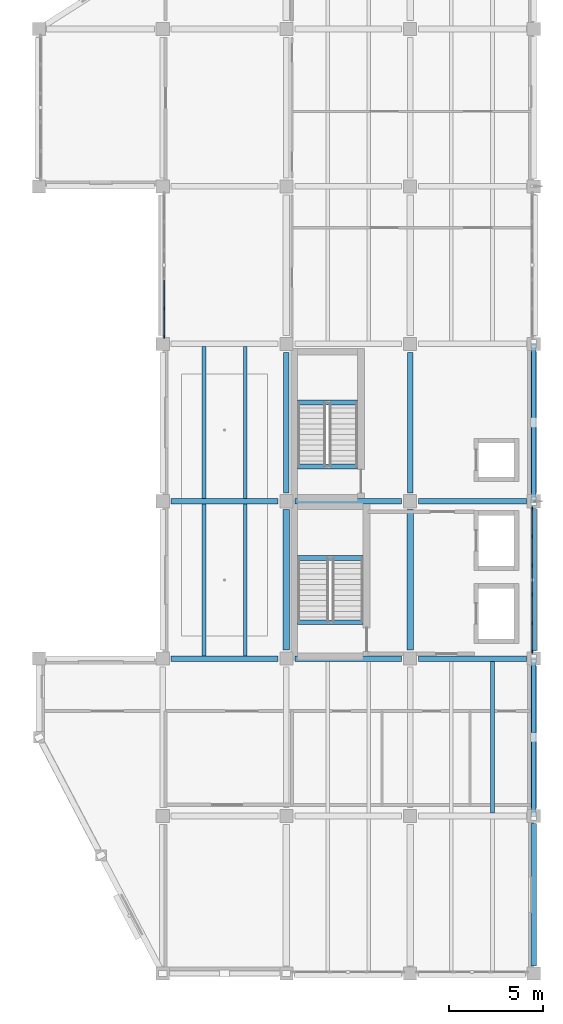
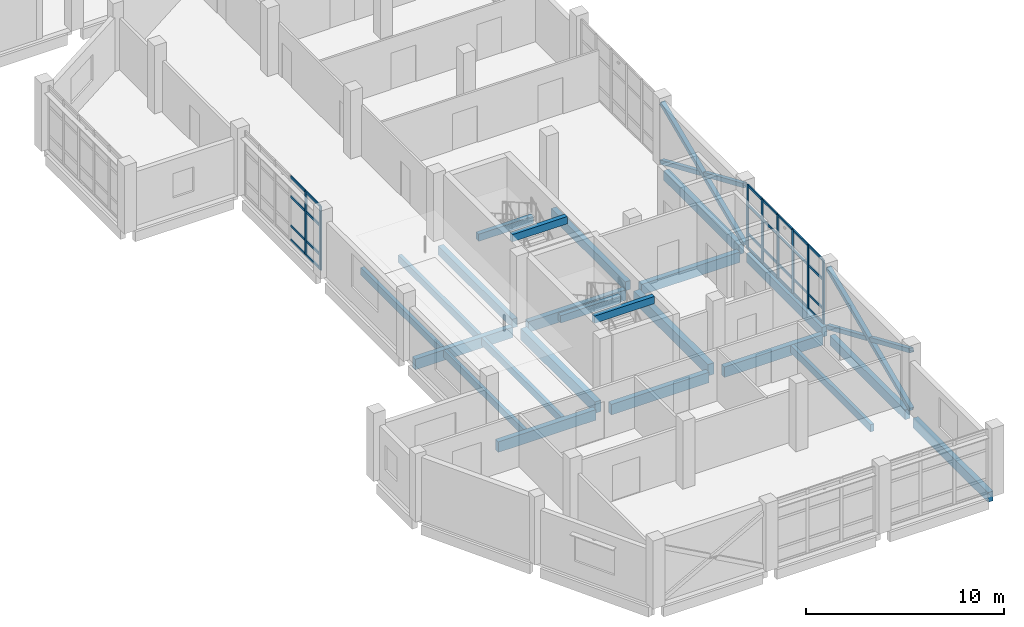
# One storey, part 20 of 74: 42 members, 23 beams, 2 elements without a shape of their own.
"""IFC4 building model written with IfcOpenShell, lengths in metres."""

from ifc_helpers import new_model, si_unit, direction, frame, origin, origin_2d, place, context, subcontext, project, spatial, rectangle, hollow_rectangle, extrude, material, material_profile, profile_set, type_object, element, aggregate, save


model = new_model("IFC4")

# Units and contexts
model_context = context("Model", 3, precision=1e-05, world=origin(), true_north=direction((0.0, 1.0)))
body_context = subcontext(model_context, "Body", "Model", "MODEL_VIEW")
ifc_project = project(units=[si_unit("LENGTHUNIT", "METRE"), si_unit("AREAUNIT", "SQUARE_METRE"), si_unit("VOLUMEUNIT", "CUBIC_METRE"), si_unit("PLANEANGLEUNIT", "RADIAN"), si_unit("MASSUNIT", "GRAM", prefix="KILO")], contexts=[model_context])

# Site, building, storey
site_placement = place(None, origin())
site = spatial("IfcSite", under=ifc_project, at=site_placement, CompositionType="ELEMENT")
building_placement = place(site_placement, origin())
building = spatial("IfcBuilding", under=site, at=building_placement, Name="Qaldarim Faculty of Natural and Applied Sciences", CompositionType="ELEMENT")
storey_placement = place(building_placement, frame((0.0, 0.0, 14.39990234375)))
storey = spatial("IfcBuildingStorey", under=building, at=storey_placement, Name="L03", CompositionType="ELEMENT", Elevation=14.39990234375)

# Beams
ifc_material_1 = material(Name="Concrete C40/50", Category="concrete")
ifc_material_profile_1 = material_profile(ifc_material_1, rectangle(XDim=0.300048828125, YDim=0.550048828125, at=origin_2d()), Name="RC-B300x550")
ifc_profile_set_1 = profile_set([ifc_material_profile_1], Name="Concrete C40/50")
beam_type_1 = type_object("IfcBeamType", Name="FloorBeam-RC300x550", PredefinedType="BEAM", material=ifc_profile_set_1)
for number, where, z_axis, x_axis, name in (
    (1, (165.0, 25.64990234375, -0.534912109375), (0.0, 1.0, 0.0), (-1.0, 0.0, 0.0), "Beam RC-B300x550 L02 X26/Y04-Y05"),
    (2, (171.60009765625, 25.64990234375, -0.534912109375), (0.0, 1.0, 0.0), (-1.0, 0.0, 0.0), "Beam RC-B300x550 L02 X27/Y04-Y05"),
):
    element("IfcBeam", number, at=place(storey_placement, frame(where, z_axis=z_axis, x_axis=x_axis)), inside=storey, type_object=beam_type_1, Name=name, PredefinedType="BEAM", context=body_context, shape_type="SweptSolid", body=[
        extrude(rectangle(XDim=0.300048828125, YDim=0.550048828125, at=origin_2d()), origin(), (0.0, 0.0, 1.0), 7.5),
    ])
ifc_material_profile_2 = material_profile(ifc_material_1, rectangle(XDim=0.199951171875, YDim=0.449951171875, at=origin_2d()), Name="RC-J200x450")
ifc_profile_set_2 = profile_set([ifc_material_profile_2], Name="Concrete C40/50")
beam_type_2 = type_object("IfcBeamType", Name="LabJoist-RC200x450", PredefinedType="JOIST", material=ifc_profile_set_2)
for number, where, z_axis, x_axis, name in (
    (3, (160.60009765625, 16.949951171875, -0.48486328125), (0.0, 1.0, 0.0), (-1.0, 0.0, 0.0), "Laboratory joist L02 bay X25Y03-1"),
    (4, (162.800048828125, 16.949951171875, -0.48486328125), (0.0, 1.0, 0.0), (-1.0, 0.0, 0.0), "Laboratory joist L02 bay X25Y03-2"),
):
    element("IfcBeam", number, at=place(storey_placement, frame(where, z_axis=z_axis, x_axis=x_axis)), inside=storey, type_object=beam_type_2, Name=name, PredefinedType="JOIST", context=body_context, shape_type="SweptSolid", body=[
        extrude(rectangle(XDim=0.199951171875, YDim=0.449951171875, at=origin_2d()), origin(), (0.0, 0.0, 1.0), 8.10009765625),
    ])
for number, where, z_axis, x_axis, name in (
    (5, (160.60009765625, 25.35009765625, -0.48486328125), (0.0, 1.0, 0.0), (-1.0, 0.0, 0.0), "Laboratory joist L02 bay X25Y04-1"),
    (6, (162.800048828125, 25.35009765625, -0.48486328125), (0.0, 1.0, 0.0), (-1.0, 0.0, 0.0), "Laboratory joist L02 bay X25Y04-2"),
    (7, (176.0, 8.550048828125, -0.48486328125), (0.0, 1.0, 0.0), (-1.0, 0.0, 0.0), "Laboratory joist L02 bay X27Y02-2"),
):
    element("IfcBeam", number, at=place(storey_placement, frame(where, z_axis=z_axis, x_axis=x_axis)), inside=storey, type_object=beam_type_2, Name=name, PredefinedType="JOIST", context=body_context, shape_type="SweptSolid", body=[
        extrude(rectangle(XDim=0.199951171875, YDim=0.449951171875, at=origin_2d()), origin(), (0.0, 0.0, 1.0), 8.099853515625),
    ])
ifc_material_profile_3 = material_profile(ifc_material_1, rectangle(XDim=0.25, YDim=0.449951171875, at=origin_2d()), Name="RC-LN250x450")
ifc_profile_set_3 = profile_set([ifc_material_profile_3], Name="Concrete C40/50")
beam_type_3 = type_object("IfcBeamType", Name="LandingSupportBeam-RC250x450", PredefinedType="BEAM", material=ifc_profile_set_3)
for number, where, z_axis, x_axis, name in (
    (8, (165.60009765625, 22.169921875, 1.6650390625), (1.0, 0.0, 0.0), (0.0, 1.0, 0.0), "Stair landing support beam ST-A1 L03"),
    (9, (165.60009765625, 18.75, 3.715087890625), (1.0, 0.0, 0.0), (0.0, 1.0, 0.0), "Stair arrival support beam ST-A1 L03"),
):
    element("IfcBeam", number, at=place(storey_placement, frame(where, z_axis=z_axis, x_axis=x_axis)), inside=storey, type_object=beam_type_3, Name=name, PredefinedType="BEAM", context=body_context, shape_type="SweptSolid", body=[
        extrude(rectangle(XDim=0.25, YDim=0.449951171875, at=origin_2d()), origin(), (0.0, 0.0, 1.0), 3.5),
    ])
for number, where, z_axis, x_axis, name in (
    (10, (165.60009765625, 30.469970703125, 1.6650390625), (1.0, 0.0, 0.0), (0.0, 1.0, 0.0), "Stair landing support beam ST-A2 L03"),
    (11, (165.60009765625, 27.050048828125, 3.715087890625), (1.0, 0.0, 0.0), (0.0, 1.0, 0.0), "Stair arrival support beam ST-A2 L03"),
):
    element("IfcBeam", number, at=place(storey_placement, frame(where, z_axis=z_axis, x_axis=x_axis)), inside=storey, type_object=beam_type_3, Name=name, PredefinedType="BEAM", context=body_context, shape_type="SweptSolid", body=[
        extrude(rectangle(XDim=0.25, YDim=0.449951171875, at=origin_2d()), origin(), (0.0, 0.0, 1.0), 3.199951171875),
    ])

# Members
ifc_material_2 = material(Name="Structural steel S355", Category="steel")
ifc_material_profile_4 = material_profile(ifc_material_2, hollow_rectangle(XDim=0.25, YDim=0.25, WallThickness=0.01611328125, at=origin_2d()), Name="SHS 250x250x16.0")
ifc_profile_set_4 = profile_set([ifc_material_profile_4], Name="Structural steel S355")
member_type_1 = type_object("IfcMemberType", Name="MidWingBrace-SHS250x16", PredefinedType="BRACE", material=ifc_profile_set_4)
member_1_placement = place(storey_placement, frame((178.199951171875, 8.39990234375, 0.0), z_axis=(0.0, 0.917552706566, 0.39761417313), x_axis=(-1.0, 0.0, 0.0)))
element("IfcMember", 12, at=member_1_placement, inside=storey, type_object=member_type_1, Name="East diagrid L03 primary brace L", PredefinedType="BRACE", context=body_context, shape_type="SweptSolid", body=[
    extrude(hollow_rectangle(XDim=0.25, YDim=0.25, WallThickness=0.01611328125, at=origin_2d()), origin(), (0.0, 0.0, 1.0), 9.155029296875),
])
for number, where, z_axis, x_axis, name in (
    (13, (178.199951171875, 16.800048828125, 0.0), (0.0, -0.917407116796, 0.397949974308), (1.0, 0.0, 0.0), "East diagrid L03 split secondary lower brace R1"),
    (14, (178.199951171875, 12.39990234375, 1.905029296875), (0.0, -0.917407116796, 0.397949974308), (1.0, 0.0, 0.0), "East diagrid L03 split secondary upper brace R2"),
):
    element("IfcMember", number, at=place(storey_placement, frame(where, z_axis=z_axis, x_axis=x_axis)), inside=storey, type_object=member_type_1, Name=name, PredefinedType="BRACE", context=body_context, shape_type="SweptSolid", body=[
        extrude(hollow_rectangle(XDim=0.25, YDim=0.25, WallThickness=0.01611328125, at=origin_2d()), origin(), (0.0, 0.0, 1.0), 4.360107421875),
    ])
member_2_placement = place(storey_placement, frame((178.199951171875, 25.199951171875, 0.0), z_axis=(0.0, 0.917552706566, 0.39761417313), x_axis=(-1.0, 0.0, 0.0)))
element("IfcMember", 15, at=member_2_placement, inside=storey, type_object=member_type_1, Name="Upper east diagrid L03 primary brace L", PredefinedType="BRACE", context=body_context, shape_type="SweptSolid", body=[
    extrude(hollow_rectangle(XDim=0.25, YDim=0.25, WallThickness=0.01611328125, at=origin_2d()), origin(), (0.0, 0.0, 1.0), 9.155029296875),
])
for number, where, z_axis, x_axis, name in (
    (16, (178.199951171875, 33.60009765625, 0.0), (0.0, -0.917407116796, 0.397949974308), (1.0, 0.0, 0.0), "Upper east diagrid L03 split secondary lower brace R1"),
    (17, (178.199951171875, 29.199951171875, 1.905029296875), (0.0, -0.917407116796, 0.397949974308), (1.0, 0.0, 0.0), "Upper east diagrid L03 split secondary upper brace R2"),
):
    element("IfcMember", number, at=place(storey_placement, frame(where, z_axis=z_axis, x_axis=x_axis)), inside=storey, type_object=member_type_1, Name=name, PredefinedType="BRACE", context=body_context, shape_type="SweptSolid", body=[
        extrude(hollow_rectangle(XDim=0.25, YDim=0.25, WallThickness=0.01611328125, at=origin_2d()), origin(), (0.0, 0.0, 1.0), 4.360107421875),
    ])

# Curtain wall, members
ifc_material_3 = material(Name="Anodised aluminium AW-6063", Category="aluminium")
curtain_wall_type = type_object("IfcCurtainWallType", Name="CurtainWallSystem-M1700", PredefinedType="USERDEFINED", material=ifc_material_3)
curtain_wall_1_placement = place(storey_placement, origin())
curtain_wall_1 = element("IfcCurtainWall", 18, at=curtain_wall_1_placement, inside=storey, type_object=curtain_wall_type, Name="Curtain wall CW-L03-W-X25Y05", ObjectType="UNITISED FACADE", PredefinedType="USERDEFINED")
ifc_material_profile_5 = material_profile(ifc_material_3, rectangle(XDim=0.070068359375, YDim=0.179931640625, at=origin_2d()), Name="ALU-M70x180")
ifc_profile_set_5 = profile_set([ifc_material_profile_5], Name="Anodised aluminium AW-6063")
member_type_2 = type_object("IfcMemberType", Name="Mullion-ALU70x180", PredefinedType="MULLION", material=ifc_profile_set_5)
member_3_placement = place(storey_placement, frame((158.47998046875, 35.487060546875, 0.0), z_axis=(0.0, 0.0, 1.0), x_axis=(1.0, 0.0, 0.0)))
member_3 = element("IfcMember", 19, at=member_3_placement, type_object=member_type_2, Name="Mullion 5 of CW-L03-W-X25Y05", PredefinedType="MULLION", context=body_context, shape_type="SweptSolid", body=[
    extrude(rectangle(XDim=0.070068359375, YDim=0.179931640625, at=origin_2d()), origin(), (0.0, 0.0, 1.0), 3.940185546875),
])
member_4_placement = place(storey_placement, frame((158.47998046875, 33.97998046875, 0.0), z_axis=(0.0, 0.0, 1.0), x_axis=(1.0, 0.0, 0.0)))
member_4 = element("IfcMember", 20, at=member_4_placement, type_object=member_type_2, Name="Mullion 6 of CW-L03-W-X25Y05", PredefinedType="MULLION", context=body_context, shape_type="SweptSolid", body=[
    extrude(rectangle(XDim=0.070068359375, YDim=0.179931640625, at=origin_2d()), origin(), (0.0, 0.0, 1.0), 3.940185546875),
])

curtain_wall_2_placement = place(storey_placement, origin())
curtain_wall_2 = element("IfcCurtainWall", 21, at=curtain_wall_2_placement, inside=storey, type_object=curtain_wall_type, Name="Curtain wall CW-L03-E-X27Y03", ObjectType="UNITISED FACADE", PredefinedType="USERDEFINED")
member_5_placement = place(storey_placement, frame((178.1201171875, 17.179931640625, 0.0), z_axis=(0.0, 0.0, 1.0), x_axis=(-1.0, 0.0, 0.0)))
member_5 = element("IfcMember", 22, at=member_5_placement, type_object=member_type_2, Name="Mullion 1 of CW-L03-E-X27Y03", PredefinedType="MULLION", context=body_context, shape_type="SweptSolid", body=[
    extrude(rectangle(XDim=0.070068359375, YDim=0.179931640625, at=origin_2d()), origin(), (0.0, 0.0, 1.0), 3.940185546875),
])
member_6_placement = place(storey_placement, frame((178.1201171875, 18.68701171875, 0.0), z_axis=(0.0, 0.0, 1.0), x_axis=(-1.0, 0.0, 0.0)))
member_6 = element("IfcMember", 23, at=member_6_placement, type_object=member_type_2, Name="Mullion 2 of CW-L03-E-X27Y03", PredefinedType="MULLION", context=body_context, shape_type="SweptSolid", body=[
    extrude(rectangle(XDim=0.070068359375, YDim=0.179931640625, at=origin_2d()), origin(), (0.0, 0.0, 1.0), 3.940185546875),
])
member_7_placement = place(storey_placement, frame((178.1201171875, 20.22900390625, 0.0), z_axis=(0.0, 0.0, 1.0), x_axis=(-1.0, 0.0, 0.0)))
member_7 = element("IfcMember", 24, at=member_7_placement, type_object=member_type_2, Name="Mullion 3 of CW-L03-E-X27Y03", PredefinedType="MULLION", context=body_context, shape_type="SweptSolid", body=[
    extrude(rectangle(XDim=0.070068359375, YDim=0.179931640625, at=origin_2d()), origin(), (0.0, 0.0, 1.0), 3.940185546875),
])
member_8_placement = place(storey_placement, frame((178.1201171875, 21.77099609375, 0.0), z_axis=(0.0, 0.0, 1.0), x_axis=(-1.0, 0.0, 0.0)))
member_8 = element("IfcMember", 25, at=member_8_placement, type_object=member_type_2, Name="Mullion 4 of CW-L03-E-X27Y03", PredefinedType="MULLION", context=body_context, shape_type="SweptSolid", body=[
    extrude(rectangle(XDim=0.070068359375, YDim=0.179931640625, at=origin_2d()), origin(), (0.0, 0.0, 1.0), 3.940185546875),
])
member_9_placement = place(storey_placement, frame((178.1201171875, 23.31298828125, 0.0), z_axis=(0.0, 0.0, 1.0), x_axis=(-1.0, 0.0, 0.0)))
member_9 = element("IfcMember", 26, at=member_9_placement, type_object=member_type_2, Name="Mullion 5 of CW-L03-E-X27Y03", PredefinedType="MULLION", context=body_context, shape_type="SweptSolid", body=[
    extrude(rectangle(XDim=0.070068359375, YDim=0.179931640625, at=origin_2d()), origin(), (0.0, 0.0, 1.0), 3.940185546875),
])
member_10_placement = place(storey_placement, frame((178.1201171875, 24.820068359375, 0.0), z_axis=(0.0, 0.0, 1.0), x_axis=(-1.0, 0.0, 0.0)))
member_10 = element("IfcMember", 27, at=member_10_placement, type_object=member_type_2, Name="Mullion 6 of CW-L03-E-X27Y03", PredefinedType="MULLION", context=body_context, shape_type="SweptSolid", body=[
    extrude(rectangle(XDim=0.070068359375, YDim=0.179931640625, at=origin_2d()), origin(), (0.0, 0.0, 1.0), 3.940185546875),
])

# Beams
ifc_material_profile_6 = material_profile(ifc_material_1, rectangle(XDim=0.300048828125, YDim=0.64990234375, at=origin_2d()), Name="RC-B300x650")
ifc_profile_set_6 = profile_set([ifc_material_profile_6], Name="Concrete C40/50")
beam_type_4 = type_object("IfcBeamType", Name="PrimaryBeam-RC300x650", PredefinedType="BEAM", material=ifc_profile_set_6)
for number, where, z_axis, x_axis, name in (
    (28, (158.85009765625, 16.800048828125, -0.5849609375), (1.0, 0.0, 0.0), (0.0, 1.0, 0.0), "Beam RC-B300x650 L02 X25-X26/Y03"),
    (29, (165.449951171875, 16.800048828125, -0.5849609375), (1.0, 0.0, 0.0), (0.0, 1.0, 0.0), "Beam RC-B300x650 L02 X26-X27/Y03"),
):
    element("IfcBeam", number, at=place(storey_placement, frame(where, z_axis=z_axis, x_axis=x_axis)), inside=storey, type_object=beam_type_4, Name=name, PredefinedType="BEAM", context=body_context, shape_type="SweptSolid", body=[
        extrude(rectangle(XDim=0.300048828125, YDim=0.64990234375, at=origin_2d()), origin(), (0.0, 0.0, 1.0), 5.699951171875),
    ])
beam_1_placement = place(storey_placement, frame((172.050048828125, 16.800048828125, -0.5849609375), z_axis=(1.0, 0.0, 0.0), x_axis=(0.0, 1.0, 0.0)))
element("IfcBeam", 30, at=beam_1_placement, inside=storey, type_object=beam_type_4, Name="Beam RC-B300x650 L02 X27-X28/Y03", PredefinedType="BEAM", context=body_context, shape_type="SweptSolid", body=[
    extrude(rectangle(XDim=0.300048828125, YDim=0.64990234375, at=origin_2d()), origin(), (0.0, 0.0, 1.0), 5.75),
])
for number, where, z_axis, x_axis, name in (
    (31, (158.85009765625, 25.199951171875, -0.5849609375), (1.0, 0.0, 0.0), (0.0, 1.0, 0.0), "Beam RC-B300x650 L02 X25-X26/Y04"),
    (32, (165.449951171875, 25.199951171875, -0.5849609375), (1.0, 0.0, 0.0), (0.0, 1.0, 0.0), "Beam RC-B300x650 L02 X26-X27/Y04"),
):
    element("IfcBeam", number, at=place(storey_placement, frame(where, z_axis=z_axis, x_axis=x_axis)), inside=storey, type_object=beam_type_4, Name=name, PredefinedType="BEAM", context=body_context, shape_type="SweptSolid", body=[
        extrude(rectangle(XDim=0.300048828125, YDim=0.64990234375, at=origin_2d()), origin(), (0.0, 0.0, 1.0), 5.699951171875),
    ])
beam_2_placement = place(storey_placement, frame((172.050048828125, 25.199951171875, -0.5849609375), z_axis=(1.0, 0.0, 0.0), x_axis=(0.0, 1.0, 0.0)))
element("IfcBeam", 33, at=beam_2_placement, inside=storey, type_object=beam_type_4, Name="Beam RC-B300x650 L02 X27-X28/Y04", PredefinedType="BEAM", context=body_context, shape_type="SweptSolid", body=[
    extrude(rectangle(XDim=0.300048828125, YDim=0.64990234375, at=origin_2d()), origin(), (0.0, 0.0, 1.0), 5.75),
])
ifc_material_profile_7 = material_profile(ifc_material_1, rectangle(XDim=0.35009765625, YDim=0.699951171875, at=origin_2d()), Name="RC-B350x700")
ifc_profile_set_7 = profile_set([ifc_material_profile_7], Name="Concrete C40/50")
beam_type_5 = type_object("IfcBeamType", Name="PrimaryGirder-RC350x700", PredefinedType="BEAM", material=ifc_profile_set_7)
for number, where, z_axis, x_axis, name in (
    (34, (165.0, 17.25, -0.60986328125), (0.0, 1.0, 0.0), (-1.0, 0.0, 0.0), "Beam RC-B350x700 L02 X26/Y03-Y04"),
    (35, (171.60009765625, 17.25, -0.60986328125), (0.0, 1.0, 0.0), (-1.0, 0.0, 0.0), "Beam RC-B350x700 L02 X27/Y03-Y04"),
):
    element("IfcBeam", number, at=place(storey_placement, frame(where, z_axis=z_axis, x_axis=x_axis)), inside=storey, type_object=beam_type_5, Name=name, PredefinedType="BEAM", context=body_context, shape_type="SweptSolid", body=[
        extrude(rectangle(XDim=0.35009765625, YDim=0.699951171875, at=origin_2d()), origin(), (0.0, 0.0, 1.0), 7.5),
    ])
ifc_material_4 = material(Name="Precast concrete C40/50", Category="concrete")
ifc_material_profile_8 = material_profile(ifc_material_4, rectangle(XDim=0.300048828125, YDim=0.60009765625, at=origin_2d()), Name="RC-SP300x600")
ifc_profile_set_8 = profile_set([ifc_material_profile_8], Name="Precast concrete C40/50")
beam_type_6 = type_object("IfcBeamType", Name="SpandrelBeam-RC300x600", PredefinedType="SPANDREL", material=ifc_profile_set_8)
beam_3_placement = place(storey_placement, frame((178.199951171875, 0.39990234375, -0.559814453125), z_axis=(0.0, 1.0, 0.0), x_axis=(-1.0, 0.0, 0.0)))
element("IfcBeam", 36, at=beam_3_placement, inside=storey, type_object=beam_type_6, Name="Beam RC-SP300x600 L02 X28/Y01-Y02", PredefinedType="SPANDREL", context=body_context, shape_type="SweptSolid", body=[
    extrude(rectangle(XDim=0.300048828125, YDim=0.60009765625, at=origin_2d()), origin(), (0.0, 0.0, 1.0), 7.60009765625),
])
beam_4_placement = place(storey_placement, frame((178.199951171875, 8.800048828125, -0.559814453125), z_axis=(0.0, 1.0, 0.0), x_axis=(-1.0, 0.0, 0.0)))
element("IfcBeam", 37, at=beam_4_placement, inside=storey, type_object=beam_type_6, Name="Beam RC-SP300x600 L02 X28/Y02-Y03", PredefinedType="SPANDREL", context=body_context, shape_type="SweptSolid", body=[
    extrude(rectangle(XDim=0.300048828125, YDim=0.60009765625, at=origin_2d()), origin(), (0.0, 0.0, 1.0), 7.599853515625),
])
beam_5_placement = place(storey_placement, frame((178.199951171875, 17.199951171875, -0.559814453125), z_axis=(0.0, 1.0, 0.0), x_axis=(-1.0, 0.0, 0.0)))
element("IfcBeam", 38, at=beam_5_placement, inside=storey, type_object=beam_type_6, Name="Beam RC-SP300x600 L02 X28/Y03-Y04", PredefinedType="SPANDREL", context=body_context, shape_type="SweptSolid", body=[
    extrude(rectangle(XDim=0.300048828125, YDim=0.60009765625, at=origin_2d()), origin(), (0.0, 0.0, 1.0), 7.60009765625),
])
beam_6_placement = place(storey_placement, frame((178.199951171875, 25.60009765625, -0.559814453125), z_axis=(0.0, 1.0, 0.0), x_axis=(-1.0, 0.0, 0.0)))
element("IfcBeam", 39, at=beam_6_placement, inside=storey, type_object=beam_type_6, Name="Beam RC-SP300x600 L02 X28/Y04-Y05", PredefinedType="SPANDREL", context=body_context, shape_type="SweptSolid", body=[
    extrude(rectangle(XDim=0.300048828125, YDim=0.60009765625, at=origin_2d()), origin(), (0.0, 0.0, 1.0), 7.599853515625),
])

# Member
ifc_material_profile_9 = material_profile(ifc_material_3, rectangle(XDim=0.070068359375, YDim=0.139892578125, at=origin_2d()), Name="ALU-T70x140")
ifc_profile_set_9 = profile_set([ifc_material_profile_9], Name="Anodised aluminium AW-6063")
member_type_3 = type_object("IfcMemberType", Name="Transom-ALU70x140", PredefinedType="USERDEFINED", material=ifc_profile_set_9)
member_11_placement = place(storey_placement, frame((158.47998046875, 36.993896484375, 0.03515625), z_axis=(0.0, -1.0, 0.0), x_axis=(1.0, 0.0, 0.0)))
member_11 = element("IfcMember", 40, at=member_11_placement, type_object=member_type_3, Name="Transom 4-1 of CW-L03-W-X25Y05", ObjectType="TRANSOM", PredefinedType="USERDEFINED", context=body_context, shape_type="SweptSolid", body=[
    extrude(rectangle(XDim=0.070068359375, YDim=0.139892578125, at=origin_2d()), origin(), (0.0, 0.0, 1.0), 1.471923828125),
])

member_12_placement = place(storey_placement, frame((158.47998046875, 36.993896484375, 0.900146484375), z_axis=(0.0, -1.0, 0.0), x_axis=(1.0, 0.0, 0.0)))
member_12 = element("IfcMember", 41, at=member_12_placement, type_object=member_type_3, Name="Transom 4-2 of CW-L03-W-X25Y05", ObjectType="TRANSOM", PredefinedType="USERDEFINED", context=body_context, shape_type="SweptSolid", body=[
    extrude(rectangle(XDim=0.070068359375, YDim=0.139892578125, at=origin_2d()), origin(), (0.0, 0.0, 1.0), 1.471923828125),
])

member_13_placement = place(storey_placement, frame((158.47998046875, 36.993896484375, 2.7001953125), z_axis=(0.0, -1.0, 0.0), x_axis=(1.0, 0.0, 0.0)))
member_13 = element("IfcMember", 42, at=member_13_placement, type_object=member_type_3, Name="Transom 4-3 of CW-L03-W-X25Y05", ObjectType="TRANSOM", PredefinedType="USERDEFINED", context=body_context, shape_type="SweptSolid", body=[
    extrude(rectangle(XDim=0.070068359375, YDim=0.139892578125, at=origin_2d()), origin(), (0.0, 0.0, 1.0), 1.471923828125),
])

member_14_placement = place(storey_placement, frame((158.47998046875, 36.993896484375, 3.905029296875), z_axis=(0.0, -1.0, 0.0), x_axis=(1.0, 0.0, 0.0)))
member_14 = element("IfcMember", 43, at=member_14_placement, type_object=member_type_3, Name="Transom 4-4 of CW-L03-W-X25Y05", ObjectType="TRANSOM", PredefinedType="USERDEFINED", context=body_context, shape_type="SweptSolid", body=[
    extrude(rectangle(XDim=0.070068359375, YDim=0.139892578125, at=origin_2d()), origin(), (0.0, 0.0, 1.0), 1.471923828125),
])

member_15_placement = place(storey_placement, frame((158.47998046875, 35.451904296875, 0.03515625), z_axis=(0.0, -1.0, 0.0), x_axis=(1.0, 0.0, 0.0)))
member_15 = element("IfcMember", 44, at=member_15_placement, type_object=member_type_3, Name="Transom 5-1 of CW-L03-W-X25Y05", ObjectType="TRANSOM", PredefinedType="USERDEFINED", context=body_context, shape_type="SweptSolid", body=[
    extrude(rectangle(XDim=0.070068359375, YDim=0.139892578125, at=origin_2d()), origin(), (0.0, 0.0, 1.0), 1.43701171875),
])

member_16_placement = place(storey_placement, frame((158.47998046875, 35.451904296875, 0.900146484375), z_axis=(0.0, -1.0, 0.0), x_axis=(1.0, 0.0, 0.0)))
member_16 = element("IfcMember", 45, at=member_16_placement, type_object=member_type_3, Name="Transom 5-2 of CW-L03-W-X25Y05", ObjectType="TRANSOM", PredefinedType="USERDEFINED", context=body_context, shape_type="SweptSolid", body=[
    extrude(rectangle(XDim=0.070068359375, YDim=0.139892578125, at=origin_2d()), origin(), (0.0, 0.0, 1.0), 1.43701171875),
])

member_17_placement = place(storey_placement, frame((158.47998046875, 35.451904296875, 2.7001953125), z_axis=(0.0, -1.0, 0.0), x_axis=(1.0, 0.0, 0.0)))
member_17 = element("IfcMember", 46, at=member_17_placement, type_object=member_type_3, Name="Transom 5-3 of CW-L03-W-X25Y05", ObjectType="TRANSOM", PredefinedType="USERDEFINED", context=body_context, shape_type="SweptSolid", body=[
    extrude(rectangle(XDim=0.070068359375, YDim=0.139892578125, at=origin_2d()), origin(), (0.0, 0.0, 1.0), 1.43701171875),
])

member_18_placement = place(storey_placement, frame((158.47998046875, 35.451904296875, 3.905029296875), z_axis=(0.0, -1.0, 0.0), x_axis=(1.0, 0.0, 0.0)))
member_18 = element("IfcMember", 47, at=member_18_placement, type_object=member_type_3, Name="Transom 5-4 of CW-L03-W-X25Y05", ObjectType="TRANSOM", PredefinedType="USERDEFINED", context=body_context, shape_type="SweptSolid", body=[
    extrude(rectangle(XDim=0.070068359375, YDim=0.139892578125, at=origin_2d()), origin(), (0.0, 0.0, 1.0), 1.43701171875),
])

aggregate(curtain_wall_1, [member_3, member_4, member_11, member_12, member_13, member_14, member_15, member_16, member_17, member_18])

member_19_placement = place(storey_placement, frame((178.1201171875, 17.215087890625, 0.03515625), z_axis=(0.0, 1.0, 0.0), x_axis=(-1.0, 0.0, 0.0)))
member_19 = element("IfcMember", 48, at=member_19_placement, type_object=member_type_3, Name="Transom 1-1 of CW-L03-E-X27Y03", ObjectType="TRANSOM", PredefinedType="USERDEFINED", context=body_context, shape_type="SweptSolid", body=[
    extrude(rectangle(XDim=0.070068359375, YDim=0.139892578125, at=origin_2d()), origin(), (0.0, 0.0, 1.0), 1.43701171875),
])

member_20_placement = place(storey_placement, frame((178.1201171875, 17.215087890625, 0.900146484375), z_axis=(0.0, 1.0, 0.0), x_axis=(-1.0, 0.0, 0.0)))
member_20 = element("IfcMember", 49, at=member_20_placement, type_object=member_type_3, Name="Transom 1-2 of CW-L03-E-X27Y03", ObjectType="TRANSOM", PredefinedType="USERDEFINED", context=body_context, shape_type="SweptSolid", body=[
    extrude(rectangle(XDim=0.070068359375, YDim=0.139892578125, at=origin_2d()), origin(), (0.0, 0.0, 1.0), 1.43701171875),
])

member_21_placement = place(storey_placement, frame((178.1201171875, 17.215087890625, 2.7001953125), z_axis=(0.0, 1.0, 0.0), x_axis=(-1.0, 0.0, 0.0)))
member_21 = element("IfcMember", 50, at=member_21_placement, type_object=member_type_3, Name="Transom 1-3 of CW-L03-E-X27Y03", ObjectType="TRANSOM", PredefinedType="USERDEFINED", context=body_context, shape_type="SweptSolid", body=[
    extrude(rectangle(XDim=0.070068359375, YDim=0.139892578125, at=origin_2d()), origin(), (0.0, 0.0, 1.0), 1.43701171875),
])

member_22_placement = place(storey_placement, frame((178.1201171875, 17.215087890625, 3.905029296875), z_axis=(0.0, 1.0, 0.0), x_axis=(-1.0, 0.0, 0.0)))
member_22 = element("IfcMember", 51, at=member_22_placement, type_object=member_type_3, Name="Transom 1-4 of CW-L03-E-X27Y03", ObjectType="TRANSOM", PredefinedType="USERDEFINED", context=body_context, shape_type="SweptSolid", body=[
    extrude(rectangle(XDim=0.070068359375, YDim=0.139892578125, at=origin_2d()), origin(), (0.0, 0.0, 1.0), 1.43701171875),
])

member_23_placement = place(storey_placement, frame((178.1201171875, 18.721923828125, 0.03515625), z_axis=(0.0, 1.0, 0.0), x_axis=(-1.0, 0.0, 0.0)))
member_23 = element("IfcMember", 52, at=member_23_placement, type_object=member_type_3, Name="Transom 2-1 of CW-L03-E-X27Y03", ObjectType="TRANSOM", PredefinedType="USERDEFINED", context=body_context, shape_type="SweptSolid", body=[
    extrude(rectangle(XDim=0.070068359375, YDim=0.139892578125, at=origin_2d()), origin(), (0.0, 0.0, 1.0), 1.47216796875),
])

member_24_placement = place(storey_placement, frame((178.1201171875, 18.721923828125, 0.900146484375), z_axis=(0.0, 1.0, 0.0), x_axis=(-1.0, 0.0, 0.0)))
member_24 = element("IfcMember", 53, at=member_24_placement, type_object=member_type_3, Name="Transom 2-2 of CW-L03-E-X27Y03", ObjectType="TRANSOM", PredefinedType="USERDEFINED", context=body_context, shape_type="SweptSolid", body=[
    extrude(rectangle(XDim=0.070068359375, YDim=0.139892578125, at=origin_2d()), origin(), (0.0, 0.0, 1.0), 1.47216796875),
])

member_25_placement = place(storey_placement, frame((178.1201171875, 18.721923828125, 2.7001953125), z_axis=(0.0, 1.0, 0.0), x_axis=(-1.0, 0.0, 0.0)))
member_25 = element("IfcMember", 54, at=member_25_placement, type_object=member_type_3, Name="Transom 2-3 of CW-L03-E-X27Y03", ObjectType="TRANSOM", PredefinedType="USERDEFINED", context=body_context, shape_type="SweptSolid", body=[
    extrude(rectangle(XDim=0.070068359375, YDim=0.139892578125, at=origin_2d()), origin(), (0.0, 0.0, 1.0), 1.47216796875),
])

member_26_placement = place(storey_placement, frame((178.1201171875, 18.721923828125, 3.905029296875), z_axis=(0.0, 1.0, 0.0), x_axis=(-1.0, 0.0, 0.0)))
member_26 = element("IfcMember", 55, at=member_26_placement, type_object=member_type_3, Name="Transom 2-4 of CW-L03-E-X27Y03", ObjectType="TRANSOM", PredefinedType="USERDEFINED", context=body_context, shape_type="SweptSolid", body=[
    extrude(rectangle(XDim=0.070068359375, YDim=0.139892578125, at=origin_2d()), origin(), (0.0, 0.0, 1.0), 1.47216796875),
])

member_27_placement = place(storey_placement, frame((178.1201171875, 20.263916015625, 0.03515625), z_axis=(0.0, 1.0, 0.0), x_axis=(-1.0, 0.0, 0.0)))
member_27 = element("IfcMember", 56, at=member_27_placement, type_object=member_type_3, Name="Transom 3-1 of CW-L03-E-X27Y03", ObjectType="TRANSOM", PredefinedType="USERDEFINED", context=body_context, shape_type="SweptSolid", body=[
    extrude(rectangle(XDim=0.070068359375, YDim=0.139892578125, at=origin_2d()), origin(), (0.0, 0.0, 1.0), 1.47216796875),
])

member_28_placement = place(storey_placement, frame((178.1201171875, 20.263916015625, 0.900146484375), z_axis=(0.0, 1.0, 0.0), x_axis=(-1.0, 0.0, 0.0)))
member_28 = element("IfcMember", 57, at=member_28_placement, type_object=member_type_3, Name="Transom 3-2 of CW-L03-E-X27Y03", ObjectType="TRANSOM", PredefinedType="USERDEFINED", context=body_context, shape_type="SweptSolid", body=[
    extrude(rectangle(XDim=0.070068359375, YDim=0.139892578125, at=origin_2d()), origin(), (0.0, 0.0, 1.0), 1.47216796875),
])

member_29_placement = place(storey_placement, frame((178.1201171875, 20.263916015625, 2.7001953125), z_axis=(0.0, 1.0, 0.0), x_axis=(-1.0, 0.0, 0.0)))
member_29 = element("IfcMember", 58, at=member_29_placement, type_object=member_type_3, Name="Transom 3-3 of CW-L03-E-X27Y03", ObjectType="TRANSOM", PredefinedType="USERDEFINED", context=body_context, shape_type="SweptSolid", body=[
    extrude(rectangle(XDim=0.070068359375, YDim=0.139892578125, at=origin_2d()), origin(), (0.0, 0.0, 1.0), 1.47216796875),
])

member_30_placement = place(storey_placement, frame((178.1201171875, 20.263916015625, 3.905029296875), z_axis=(0.0, 1.0, 0.0), x_axis=(-1.0, 0.0, 0.0)))
member_30 = element("IfcMember", 59, at=member_30_placement, type_object=member_type_3, Name="Transom 3-4 of CW-L03-E-X27Y03", ObjectType="TRANSOM", PredefinedType="USERDEFINED", context=body_context, shape_type="SweptSolid", body=[
    extrude(rectangle(XDim=0.070068359375, YDim=0.139892578125, at=origin_2d()), origin(), (0.0, 0.0, 1.0), 1.47216796875),
])

member_31_placement = place(storey_placement, frame((178.1201171875, 21.805908203125, 0.03515625), z_axis=(0.0, 1.0, 0.0), x_axis=(-1.0, 0.0, 0.0)))
member_31 = element("IfcMember", 60, at=member_31_placement, type_object=member_type_3, Name="Transom 4-1 of CW-L03-E-X27Y03", ObjectType="TRANSOM", PredefinedType="USERDEFINED", context=body_context, shape_type="SweptSolid", body=[
    extrude(rectangle(XDim=0.070068359375, YDim=0.139892578125, at=origin_2d()), origin(), (0.0, 0.0, 1.0), 1.47216796875),
])

member_32_placement = place(storey_placement, frame((178.1201171875, 21.805908203125, 0.900146484375), z_axis=(0.0, 1.0, 0.0), x_axis=(-1.0, 0.0, 0.0)))
member_32 = element("IfcMember", 61, at=member_32_placement, type_object=member_type_3, Name="Transom 4-2 of CW-L03-E-X27Y03", ObjectType="TRANSOM", PredefinedType="USERDEFINED", context=body_context, shape_type="SweptSolid", body=[
    extrude(rectangle(XDim=0.070068359375, YDim=0.139892578125, at=origin_2d()), origin(), (0.0, 0.0, 1.0), 1.47216796875),
])

member_33_placement = place(storey_placement, frame((178.1201171875, 21.805908203125, 2.7001953125), z_axis=(0.0, 1.0, 0.0), x_axis=(-1.0, 0.0, 0.0)))
member_33 = element("IfcMember", 62, at=member_33_placement, type_object=member_type_3, Name="Transom 4-3 of CW-L03-E-X27Y03", ObjectType="TRANSOM", PredefinedType="USERDEFINED", context=body_context, shape_type="SweptSolid", body=[
    extrude(rectangle(XDim=0.070068359375, YDim=0.139892578125, at=origin_2d()), origin(), (0.0, 0.0, 1.0), 1.47216796875),
])

member_34_placement = place(storey_placement, frame((178.1201171875, 21.805908203125, 3.905029296875), z_axis=(0.0, 1.0, 0.0), x_axis=(-1.0, 0.0, 0.0)))
member_34 = element("IfcMember", 63, at=member_34_placement, type_object=member_type_3, Name="Transom 4-4 of CW-L03-E-X27Y03", ObjectType="TRANSOM", PredefinedType="USERDEFINED", context=body_context, shape_type="SweptSolid", body=[
    extrude(rectangle(XDim=0.070068359375, YDim=0.139892578125, at=origin_2d()), origin(), (0.0, 0.0, 1.0), 1.47216796875),
])

member_35_placement = place(storey_placement, frame((178.1201171875, 23.347900390625, 0.03515625), z_axis=(0.0, 1.0, 0.0), x_axis=(-1.0, 0.0, 0.0)))
member_35 = element("IfcMember", 64, at=member_35_placement, type_object=member_type_3, Name="Transom 5-1 of CW-L03-E-X27Y03", ObjectType="TRANSOM", PredefinedType="USERDEFINED", context=body_context, shape_type="SweptSolid", body=[
    extrude(rectangle(XDim=0.070068359375, YDim=0.139892578125, at=origin_2d()), origin(), (0.0, 0.0, 1.0), 1.43701171875),
])

member_36_placement = place(storey_placement, frame((178.1201171875, 23.347900390625, 0.900146484375), z_axis=(0.0, 1.0, 0.0), x_axis=(-1.0, 0.0, 0.0)))
member_36 = element("IfcMember", 65, at=member_36_placement, type_object=member_type_3, Name="Transom 5-2 of CW-L03-E-X27Y03", ObjectType="TRANSOM", PredefinedType="USERDEFINED", context=body_context, shape_type="SweptSolid", body=[
    extrude(rectangle(XDim=0.070068359375, YDim=0.139892578125, at=origin_2d()), origin(), (0.0, 0.0, 1.0), 1.43701171875),
])

member_37_placement = place(storey_placement, frame((178.1201171875, 23.347900390625, 2.7001953125), z_axis=(0.0, 1.0, 0.0), x_axis=(-1.0, 0.0, 0.0)))
member_37 = element("IfcMember", 66, at=member_37_placement, type_object=member_type_3, Name="Transom 5-3 of CW-L03-E-X27Y03", ObjectType="TRANSOM", PredefinedType="USERDEFINED", context=body_context, shape_type="SweptSolid", body=[
    extrude(rectangle(XDim=0.070068359375, YDim=0.139892578125, at=origin_2d()), origin(), (0.0, 0.0, 1.0), 1.43701171875),
])

member_38_placement = place(storey_placement, frame((178.1201171875, 23.347900390625, 3.905029296875), z_axis=(0.0, 1.0, 0.0), x_axis=(-1.0, 0.0, 0.0)))
member_38 = element("IfcMember", 67, at=member_38_placement, type_object=member_type_3, Name="Transom 5-4 of CW-L03-E-X27Y03", ObjectType="TRANSOM", PredefinedType="USERDEFINED", context=body_context, shape_type="SweptSolid", body=[
    extrude(rectangle(XDim=0.070068359375, YDim=0.139892578125, at=origin_2d()), origin(), (0.0, 0.0, 1.0), 1.43701171875),
])

aggregate(curtain_wall_2, [member_5, member_6, member_7, member_8, member_9, member_10, member_19, member_20, member_21, member_22, member_23, member_24, member_25, member_26, member_27, member_28, member_29, member_30, member_31, member_32, member_33, member_34, member_35, member_36, member_37, member_38])

save(model, "model.ifc")
